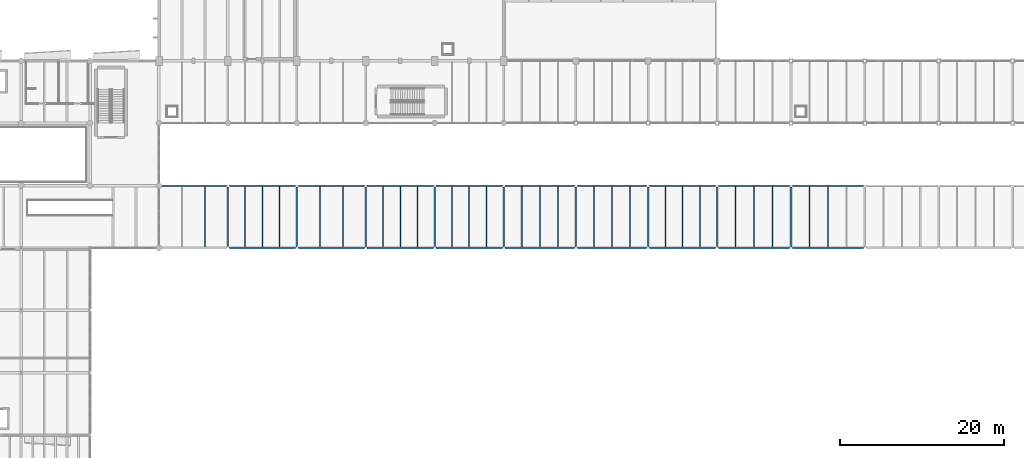
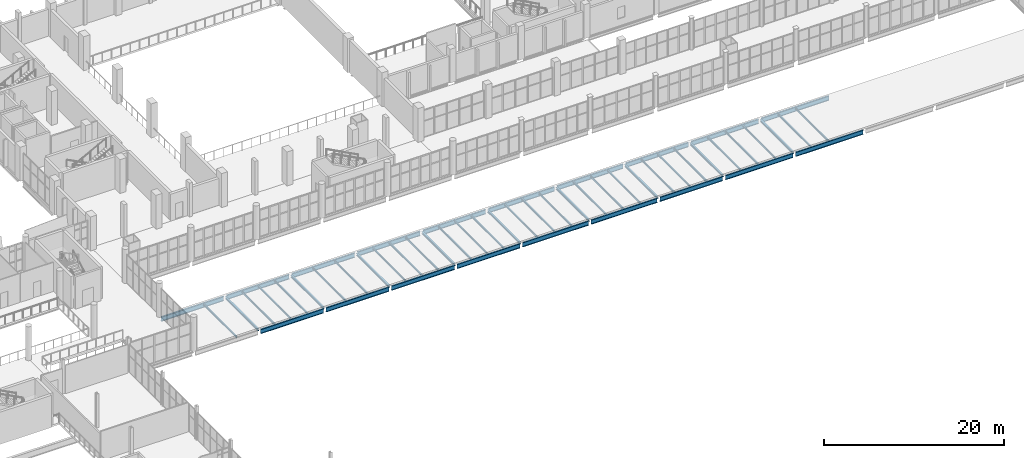
# One storey, part 34 of 136: 54 beams.
"""IFC4 building model written with IfcOpenShell, lengths in metres."""

from ifc_helpers import new_model, si_unit, direction, frame, origin, origin_2d, place, context, subcontext, project, spatial, i_section, extrude, material, material_profile, profile_set, type_object, element, save


model = new_model("IFC4")

# Units and contexts
model_context = context("Model", 3, precision=1e-05, world=origin(), true_north=direction((0.0, 1.0)))
body_context = subcontext(model_context, "Body", "Model", "MODEL_VIEW")
ifc_project = project(units=[si_unit("LENGTHUNIT", "METRE"), si_unit("AREAUNIT", "SQUARE_METRE"), si_unit("VOLUMEUNIT", "CUBIC_METRE"), si_unit("PLANEANGLEUNIT", "RADIAN"), si_unit("MASSUNIT", "GRAM", prefix="KILO")], contexts=[model_context])

# Site, building, storey
site_placement = place(None, origin())
site = spatial("IfcSite", under=ifc_project, at=site_placement, CompositionType="ELEMENT")
building_placement = place(site_placement, origin())
building = spatial("IfcBuilding", under=site, at=building_placement, Name="Shengluoqiao Park Theatre", CompositionType="ELEMENT")
storey_placement = place(building_placement, frame((0.0, 0.0, 10.0)))
storey = spatial("IfcBuildingStorey", under=building, at=storey_placement, Name="L02", CompositionType="ELEMENT", Elevation=10.0)

# Beams
ifc_material = material(Name="Steel Q355", Category="steel")
ifc_material_profile_1 = material_profile(ifc_material, i_section(OverallWidth=0.199951171875, OverallDepth=0.2939453125, WebThickness=0.008056640625, FlangeThickness=0.011962890625, FilletRadius=0.01611328125, at=origin_2d()), Name="HM 294x200x8x12")
ifc_profile_set_1 = profile_set([ifc_material_profile_1], Name="Steel Q355")
beam_type_1 = type_object("IfcBeamType", Name="STR-BM-G-HM294", PredefinedType="BEAM", material=ifc_profile_set_1)
for number, where, z_axis, x_axis, name in (
    (1, (52.800048828125, 53.3720703125, -0.376953125), (0.0, 1.0, 0.0), (-1.0, 0.0, 0.0), "L02 Transverse Girder 01927"),
    (2, (61.199951171875, 53.3720703125, -0.376953125), (0.0, 1.0, 0.0), (-1.0, 0.0, 0.0), "L02 Transverse Girder 01928"),
    (3, (69.60009765625, 53.3720703125, -0.376953125), (0.0, 1.0, 0.0), (-1.0, 0.0, 0.0), "L02 Transverse Girder 01929"),
    (4, (78.0, 53.3720703125, -0.376953125), (0.0, 1.0, 0.0), (-1.0, 0.0, 0.0), "L02 Transverse Girder 01930"),
    (5, (86.39990234375, 53.3720703125, -0.376953125), (0.0, 1.0, 0.0), (-1.0, 0.0, 0.0), "L02 Transverse Girder 01931"),
    (6, (95.199951171875, 53.3720703125, -0.376953125), (0.0, 1.0, 0.0), (-1.0, 0.0, 0.0), "L02 Transverse Girder 01932"),
    (7, (104.0, 53.3720703125, -0.376953125), (0.0, 1.0, 0.0), (-1.0, 0.0, 0.0), "L02 Transverse Girder 01933"),
    (8, (112.39990234375, 53.3720703125, -0.376953125), (0.0, 1.0, 0.0), (-1.0, 0.0, 0.0), "L02 Transverse Girder 01934"),
    (9, (121.39990234375, 53.3720703125, -0.376953125), (0.0, 1.0, 0.0), (-1.0, 0.0, 0.0), "L02 Transverse Girder 01935"),
):
    element("IfcBeam", number, at=place(storey_placement, frame(where, z_axis=z_axis, x_axis=x_axis)), inside=storey, type_object=beam_type_1, Name=name, PredefinedType="BEAM", context=body_context, shape_type="SweptSolid", body=[
        extrude(i_section(OverallWidth=0.199951171875, OverallDepth=0.2939453125, WebThickness=0.008056640625, FlangeThickness=0.011962890625, FilletRadius=0.01611328125, at=origin_2d()), origin(), (0.0, 0.0, 1.0), 7.255859375),
    ])
ifc_material_profile_2 = material_profile(ifc_material, i_section(OverallWidth=0.125, OverallDepth=0.25, WebThickness=0.006103515625, FlangeThickness=0.009033203125, FilletRadius=0.010009765625, at=origin_2d()), Name="HN 250x125x6x9")
ifc_profile_set_2 = profile_set([ifc_material_profile_2], Name="Steel Q355")
beam_type_2 = type_object("IfcBeamType", Name="STR-BM-J-HN250", PredefinedType="JOIST", material=ifc_profile_set_2)
for number, where, z_axis, x_axis, name in (
    (10, (50.0, 53.29443359375, -0.35498046875), (0.0, 1.0, 0.0), (-1.0, 0.0, 0.0), "L02 Composite Joist 01940"),
    (11, (54.89990234375, 53.29443359375, -0.35498046875), (0.0, 1.0, 0.0), (-1.0, 0.0, 0.0), "L02 Composite Joist 01941"),
    (12, (57.0, 53.29443359375, -0.35498046875), (0.0, 1.0, 0.0), (-1.0, 0.0, 0.0), "L02 Composite Joist 01942"),
    (13, (59.10009765625, 53.29443359375, -0.35498046875), (0.0, 1.0, 0.0), (-1.0, 0.0, 0.0), "L02 Composite Joist 01943"),
    (14, (64.0, 53.29443359375, -0.35498046875), (0.0, 1.0, 0.0), (-1.0, 0.0, 0.0), "L02 Composite Joist 01944"),
    (15, (66.800048828125, 53.29443359375, -0.35498046875), (0.0, 1.0, 0.0), (-1.0, 0.0, 0.0), "L02 Composite Joist 01945"),
    (16, (71.699951171875, 53.29443359375, -0.35498046875), (0.0, 1.0, 0.0), (-1.0, 0.0, 0.0), "L02 Composite Joist 01946"),
    (17, (73.800048828125, 53.29443359375, -0.35498046875), (0.0, 1.0, 0.0), (-1.0, 0.0, 0.0), "L02 Composite Joist 01947"),
    (18, (75.89990234375, 53.29443359375, -0.35498046875), (0.0, 1.0, 0.0), (-1.0, 0.0, 0.0), "L02 Composite Joist 01948"),
    (19, (80.10009765625, 53.29443359375, -0.35498046875), (0.0, 1.0, 0.0), (-1.0, 0.0, 0.0), "L02 Composite Joist 01949"),
    (20, (82.199951171875, 53.29443359375, -0.35498046875), (0.0, 1.0, 0.0), (-1.0, 0.0, 0.0), "L02 Composite Joist 01950"),
    (21, (84.300048828125, 53.29443359375, -0.35498046875), (0.0, 1.0, 0.0), (-1.0, 0.0, 0.0), "L02 Composite Joist 01951"),
    (22, (88.60009765625, 53.29443359375, -0.35498046875), (0.0, 1.0, 0.0), (-1.0, 0.0, 0.0), "L02 Composite Joist 01952"),
    (23, (90.800048828125, 53.29443359375, -0.35498046875), (0.0, 1.0, 0.0), (-1.0, 0.0, 0.0), "L02 Composite Joist 01953"),
    (24, (93.0, 53.29443359375, -0.35498046875), (0.0, 1.0, 0.0), (-1.0, 0.0, 0.0), "L02 Composite Joist 01954"),
    (25, (97.39990234375, 53.29443359375, -0.35498046875), (0.0, 1.0, 0.0), (-1.0, 0.0, 0.0), "L02 Composite Joist 01955"),
    (26, (99.60009765625, 53.29443359375, -0.35498046875), (0.0, 1.0, 0.0), (-1.0, 0.0, 0.0), "L02 Composite Joist 01956"),
    (27, (101.800048828125, 53.29443359375, -0.35498046875), (0.0, 1.0, 0.0), (-1.0, 0.0, 0.0), "L02 Composite Joist 01957"),
    (28, (106.10009765625, 53.29443359375, -0.35498046875), (0.0, 1.0, 0.0), (-1.0, 0.0, 0.0), "L02 Composite Joist 01958"),
    (29, (108.199951171875, 53.29443359375, -0.35498046875), (0.0, 1.0, 0.0), (-1.0, 0.0, 0.0), "L02 Composite Joist 01959"),
    (30, (110.300048828125, 53.29443359375, -0.35498046875), (0.0, 1.0, 0.0), (-1.0, 0.0, 0.0), "L02 Composite Joist 01960"),
    (31, (114.64990234375, 53.29443359375, -0.35498046875), (0.0, 1.0, 0.0), (-1.0, 0.0, 0.0), "L02 Composite Joist 01961"),
    (32, (116.89990234375, 53.29443359375, -0.35498046875), (0.0, 1.0, 0.0), (-1.0, 0.0, 0.0), "L02 Composite Joist 01962"),
    (33, (119.14990234375, 53.29443359375, -0.35498046875), (0.0, 1.0, 0.0), (-1.0, 0.0, 0.0), "L02 Composite Joist 01963"),
    (34, (123.64990234375, 53.29443359375, -0.35498046875), (0.0, 1.0, 0.0), (-1.0, 0.0, 0.0), "L02 Composite Joist 01964"),
    (35, (125.89990234375, 53.29443359375, -0.35498046875), (0.0, 1.0, 0.0), (-1.0, 0.0, 0.0), "L02 Composite Joist 01965"),
):
    element("IfcBeam", number, at=place(storey_placement, frame(where, z_axis=z_axis, x_axis=x_axis)), inside=storey, type_object=beam_type_2, Name=name, PredefinedType="JOIST", context=body_context, shape_type="SweptSolid", body=[
        extrude(i_section(OverallWidth=0.125, OverallDepth=0.25, WebThickness=0.006103515625, FlangeThickness=0.009033203125, FilletRadius=0.010009765625, at=origin_2d()), origin(), (0.0, 0.0, 1.0), 7.4111328125),
    ])
ifc_material_profile_3 = material_profile(ifc_material, i_section(OverallWidth=0.198974609375, OverallDepth=0.595947265625, WebThickness=0.010009765625, FlangeThickness=0.014892578125, FilletRadius=0.02001953125, at=origin_2d()), Name="HN 596x199x10x15")
ifc_profile_set_3 = profile_set([ifc_material_profile_3], Name="Steel Q355")
beam_type_3 = type_object("IfcBeamType", Name="STR-BM-SP-HN596", PredefinedType="SPANDREL", material=ifc_profile_set_3)
beam_1_placement = place(storey_placement, frame((52.971923828125, 53.199951171875, -0.528076171875), z_axis=(1.0, 0.0, 0.0), x_axis=(0.0, 1.0, 0.0)))
element("IfcBeam", 36, at=beam_1_placement, inside=storey, type_object=beam_type_3, Name="L02 Primary Girder 01902", PredefinedType="SPANDREL", context=body_context, shape_type="SweptSolid", body=[
    extrude(i_section(OverallWidth=0.198974609375, OverallDepth=0.595947265625, WebThickness=0.010009765625, FlangeThickness=0.014892578125, FilletRadius=0.02001953125, at=origin_2d()), origin(), (0.0, 0.0, 1.0), 8.05615234375),
])
for number, where, z_axis, x_axis, name in (
    (37, (61.3720703125, 53.199951171875, -0.528076171875), (1.0, 0.0, 0.0), (0.0, 1.0, 0.0), "L02 Primary Girder 01903"),
    (38, (69.77197265625, 53.199951171875, -0.528076171875), (1.0, 0.0, 0.0), (0.0, 1.0, 0.0), "L02 Primary Girder 01904"),
    (39, (78.172119140625, 53.199951171875, -0.528076171875), (1.0, 0.0, 0.0), (0.0, 1.0, 0.0), "L02 Primary Girder 01905"),
):
    element("IfcBeam", number, at=place(storey_placement, frame(where, z_axis=z_axis, x_axis=x_axis)), inside=storey, type_object=beam_type_3, Name=name, PredefinedType="SPANDREL", context=body_context, shape_type="SweptSolid", body=[
        extrude(i_section(OverallWidth=0.198974609375, OverallDepth=0.595947265625, WebThickness=0.010009765625, FlangeThickness=0.014892578125, FilletRadius=0.02001953125, at=origin_2d()), origin(), (0.0, 0.0, 1.0), 8.055908203125),
    ])
beam_2_placement = place(storey_placement, frame((86.572021484375, 53.199951171875, -0.528076171875), z_axis=(1.0, 0.0, 0.0), x_axis=(0.0, 1.0, 0.0)))
element("IfcBeam", 40, at=beam_2_placement, inside=storey, type_object=beam_type_3, Name="L02 Primary Girder 01906", PredefinedType="SPANDREL", context=body_context, shape_type="SweptSolid", body=[
    extrude(i_section(OverallWidth=0.198974609375, OverallDepth=0.595947265625, WebThickness=0.010009765625, FlangeThickness=0.014892578125, FilletRadius=0.02001953125, at=origin_2d()), origin(), (0.0, 0.0, 1.0), 8.4560546875),
])
beam_3_placement = place(storey_placement, frame((95.3720703125, 53.199951171875, -0.528076171875), z_axis=(1.0, 0.0, 0.0), x_axis=(0.0, 1.0, 0.0)))
element("IfcBeam", 41, at=beam_3_placement, inside=storey, type_object=beam_type_3, Name="L02 Primary Girder 01907", PredefinedType="SPANDREL", context=body_context, shape_type="SweptSolid", body=[
    extrude(i_section(OverallWidth=0.198974609375, OverallDepth=0.595947265625, WebThickness=0.010009765625, FlangeThickness=0.014892578125, FilletRadius=0.02001953125, at=origin_2d()), origin(), (0.0, 0.0, 1.0), 8.455810546875),
])
beam_4_placement = place(storey_placement, frame((104.172119140625, 53.199951171875, -0.528076171875), z_axis=(1.0, 0.0, 0.0), x_axis=(0.0, 1.0, 0.0)))
element("IfcBeam", 42, at=beam_4_placement, inside=storey, type_object=beam_type_3, Name="L02 Primary Girder 01908", PredefinedType="SPANDREL", context=body_context, shape_type="SweptSolid", body=[
    extrude(i_section(OverallWidth=0.198974609375, OverallDepth=0.595947265625, WebThickness=0.010009765625, FlangeThickness=0.014892578125, FilletRadius=0.02001953125, at=origin_2d()), origin(), (0.0, 0.0, 1.0), 8.055908203125),
])
for number, where, z_axis, x_axis, name in (
    (43, (112.572021484375, 53.199951171875, -0.528076171875), (1.0, 0.0, 0.0), (0.0, 1.0, 0.0), "L02 Primary Girder 01909"),
    (44, (121.572021484375, 53.199951171875, -0.528076171875), (1.0, 0.0, 0.0), (0.0, 1.0, 0.0), "L02 Primary Girder 01910"),
):
    element("IfcBeam", number, at=place(storey_placement, frame(where, z_axis=z_axis, x_axis=x_axis)), inside=storey, type_object=beam_type_3, Name=name, PredefinedType="SPANDREL", context=body_context, shape_type="SweptSolid", body=[
        extrude(i_section(OverallWidth=0.198974609375, OverallDepth=0.595947265625, WebThickness=0.010009765625, FlangeThickness=0.014892578125, FilletRadius=0.02001953125, at=origin_2d()), origin(), (0.0, 0.0, 1.0), 8.656005859375),
    ])
beam_5_placement = place(storey_placement, frame((44.593994140625, 60.800048828125, -0.5380859375), z_axis=(1.0, 0.0, 0.0), x_axis=(0.0, 1.0, 0.0)))
element("IfcBeam", 45, at=beam_5_placement, inside=storey, type_object=beam_type_3, Name="L02 Primary Girder 01914", PredefinedType="SPANDREL", context=body_context, shape_type="SweptSolid", body=[
    extrude(i_section(OverallWidth=0.198974609375, OverallDepth=0.595947265625, WebThickness=0.010009765625, FlangeThickness=0.014892578125, FilletRadius=0.02001953125, at=origin_2d()), origin(), (0.0, 0.0, 1.0), 8.033935546875),
])
beam_6_placement = place(storey_placement, frame((52.971923828125, 60.800048828125, -0.528076171875), z_axis=(1.0, 0.0, 0.0), x_axis=(0.0, 1.0, 0.0)))
element("IfcBeam", 46, at=beam_6_placement, inside=storey, type_object=beam_type_3, Name="L02 Primary Girder 01915", PredefinedType="SPANDREL", context=body_context, shape_type="SweptSolid", body=[
    extrude(i_section(OverallWidth=0.198974609375, OverallDepth=0.595947265625, WebThickness=0.010009765625, FlangeThickness=0.014892578125, FilletRadius=0.02001953125, at=origin_2d()), origin(), (0.0, 0.0, 1.0), 8.05615234375),
])
for number, where, z_axis, x_axis, name in (
    (47, (61.3720703125, 60.800048828125, -0.528076171875), (1.0, 0.0, 0.0), (0.0, 1.0, 0.0), "L02 Primary Girder 01916"),
    (48, (69.77197265625, 60.800048828125, -0.528076171875), (1.0, 0.0, 0.0), (0.0, 1.0, 0.0), "L02 Primary Girder 01917"),
    (49, (78.172119140625, 60.800048828125, -0.528076171875), (1.0, 0.0, 0.0), (0.0, 1.0, 0.0), "L02 Primary Girder 01918"),
):
    element("IfcBeam", number, at=place(storey_placement, frame(where, z_axis=z_axis, x_axis=x_axis)), inside=storey, type_object=beam_type_3, Name=name, PredefinedType="SPANDREL", context=body_context, shape_type="SweptSolid", body=[
        extrude(i_section(OverallWidth=0.198974609375, OverallDepth=0.595947265625, WebThickness=0.010009765625, FlangeThickness=0.014892578125, FilletRadius=0.02001953125, at=origin_2d()), origin(), (0.0, 0.0, 1.0), 8.055908203125),
    ])
beam_7_placement = place(storey_placement, frame((86.572021484375, 60.800048828125, -0.528076171875), z_axis=(1.0, 0.0, 0.0), x_axis=(0.0, 1.0, 0.0)))
element("IfcBeam", 50, at=beam_7_placement, inside=storey, type_object=beam_type_3, Name="L02 Primary Girder 01919", PredefinedType="SPANDREL", context=body_context, shape_type="SweptSolid", body=[
    extrude(i_section(OverallWidth=0.198974609375, OverallDepth=0.595947265625, WebThickness=0.010009765625, FlangeThickness=0.014892578125, FilletRadius=0.02001953125, at=origin_2d()), origin(), (0.0, 0.0, 1.0), 8.4560546875),
])
beam_8_placement = place(storey_placement, frame((95.3720703125, 60.800048828125, -0.528076171875), z_axis=(1.0, 0.0, 0.0), x_axis=(0.0, 1.0, 0.0)))
element("IfcBeam", 51, at=beam_8_placement, inside=storey, type_object=beam_type_3, Name="L02 Primary Girder 01920", PredefinedType="SPANDREL", context=body_context, shape_type="SweptSolid", body=[
    extrude(i_section(OverallWidth=0.198974609375, OverallDepth=0.595947265625, WebThickness=0.010009765625, FlangeThickness=0.014892578125, FilletRadius=0.02001953125, at=origin_2d()), origin(), (0.0, 0.0, 1.0), 8.455810546875),
])
beam_9_placement = place(storey_placement, frame((104.172119140625, 60.800048828125, -0.528076171875), z_axis=(1.0, 0.0, 0.0), x_axis=(0.0, 1.0, 0.0)))
element("IfcBeam", 52, at=beam_9_placement, inside=storey, type_object=beam_type_3, Name="L02 Primary Girder 01921", PredefinedType="SPANDREL", context=body_context, shape_type="SweptSolid", body=[
    extrude(i_section(OverallWidth=0.198974609375, OverallDepth=0.595947265625, WebThickness=0.010009765625, FlangeThickness=0.014892578125, FilletRadius=0.02001953125, at=origin_2d()), origin(), (0.0, 0.0, 1.0), 8.055908203125),
])
for number, where, z_axis, x_axis, name in (
    (53, (112.572021484375, 60.800048828125, -0.528076171875), (1.0, 0.0, 0.0), (0.0, 1.0, 0.0), "L02 Primary Girder 01922"),
    (54, (121.572021484375, 60.800048828125, -0.528076171875), (1.0, 0.0, 0.0), (0.0, 1.0, 0.0), "L02 Primary Girder 01923"),
):
    element("IfcBeam", number, at=place(storey_placement, frame(where, z_axis=z_axis, x_axis=x_axis)), inside=storey, type_object=beam_type_3, Name=name, PredefinedType="SPANDREL", context=body_context, shape_type="SweptSolid", body=[
        extrude(i_section(OverallWidth=0.198974609375, OverallDepth=0.595947265625, WebThickness=0.010009765625, FlangeThickness=0.014892578125, FilletRadius=0.02001953125, at=origin_2d()), origin(), (0.0, 0.0, 1.0), 8.656005859375),
    ])

save(model, "model.ifc")
